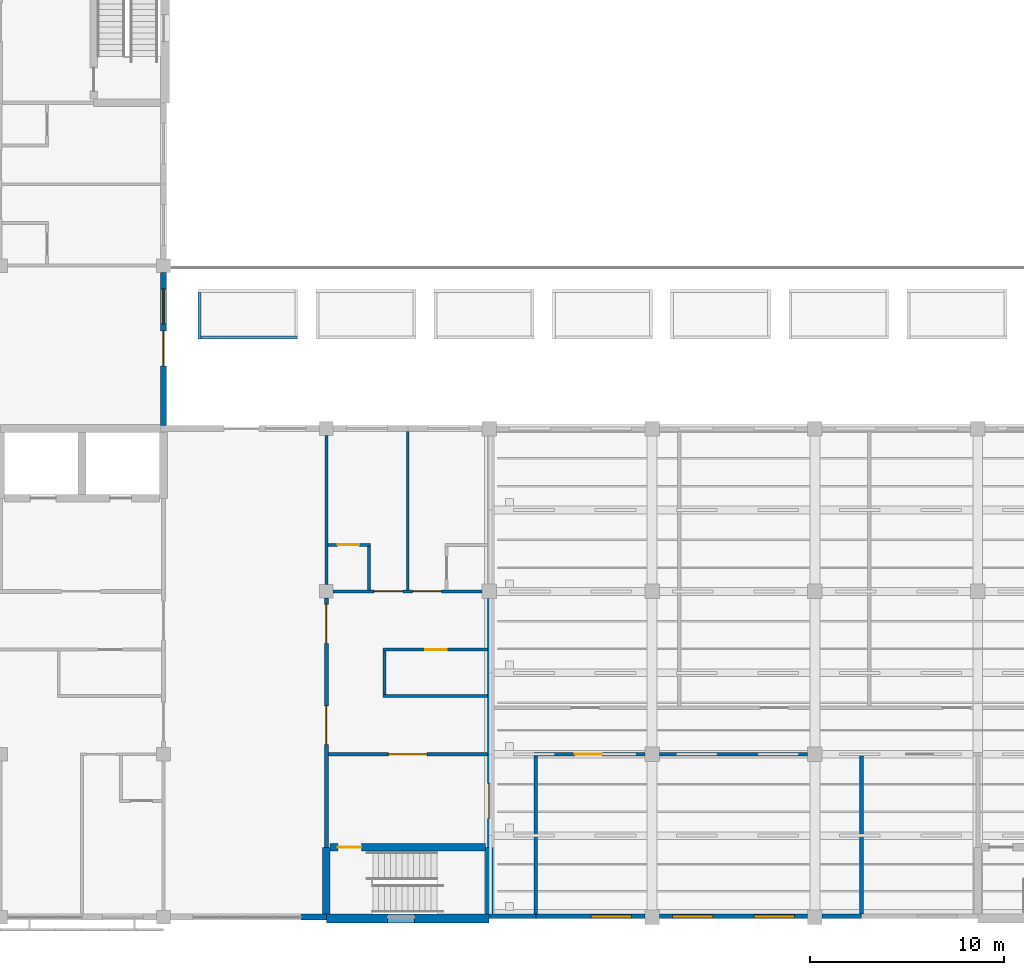
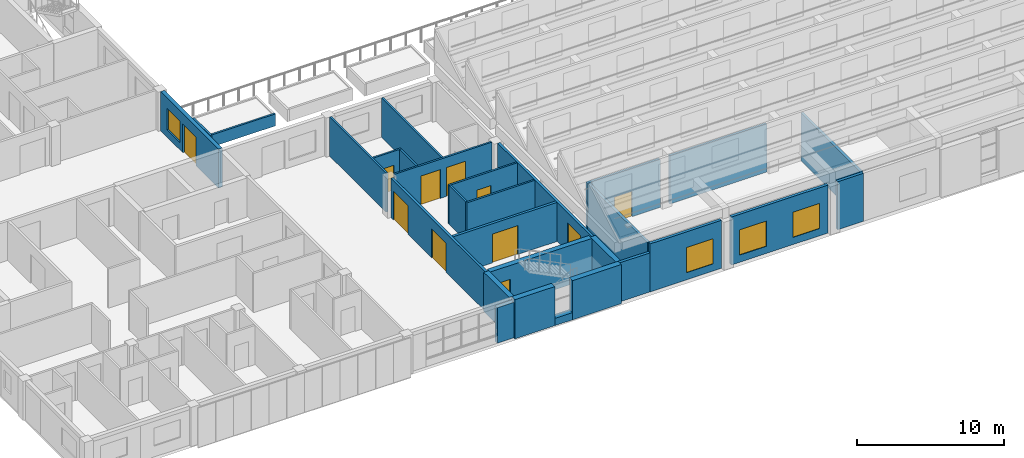
# One storey, part 29 of 61: 29 walls, 11 doors, 4 windows, 15 openings.
"""IFC4 building model written with IfcOpenShell, lengths in metres."""

from ifc_helpers import new_model, si_unit, direction, frame, frame_2d, origin, place, context, subcontext, project, spatial, rectangle, extrude, material, layer, layer_set, type_object, element, fill, save


model = new_model("IFC4")

# Units and contexts
model_context = context("Model", 3, precision=1e-05, world=origin(), true_north=direction((0.0, 1.0)))
body_context = subcontext(model_context, "Body", "Model", "MODEL_VIEW")
ifc_project = project(units=[si_unit("LENGTHUNIT", "METRE"), si_unit("AREAUNIT", "SQUARE_METRE"), si_unit("VOLUMEUNIT", "CUBIC_METRE"), si_unit("PLANEANGLEUNIT", "RADIAN"), si_unit("MASSUNIT", "GRAM", prefix="KILO")], contexts=[model_context])

# Site, building, storey
site_placement = place(None, origin())
site = spatial("IfcSite", under=ifc_project, at=site_placement, CompositionType="ELEMENT")
building_placement = place(site_placement, origin())
building = spatial("IfcBuilding", under=site, at=building_placement, Name="Yavir Park General Hospital", CompositionType="ELEMENT")
storey_placement = place(building_placement, frame((0.0, 0.0, 15.300048828125)))
storey = spatial("IfcBuildingStorey", under=building, at=storey_placement, Name="L03", CompositionType="ELEMENT", Elevation=15.300048828125)

# Wall, opening, door
ifc_material_1 = material(Name="Double gypsum board fire partition on steel studs", Category="steel")
ifc_layer_1 = layer(ifc_material_1, 0.199951171875)
ifc_layer_set_1 = layer_set([ifc_layer_1], Name="Double gypsum board fire partition on steel studs")
wall_type_1 = type_object("IfcWallType", Name="Fire-rated partition 200, EI 60", PredefinedType="PARTITIONING", material=ifc_layer_set_1)
wall_1_placement = place(storey_placement, frame((33.699951171875, 8.39990234375, 0.0), z_axis=(0.0, 0.0, 1.0), x_axis=(1.0, 0.0, 0.0)))
wall_1 = element("IfcWall", 1, at=wall_1_placement, inside=storey, type_object=wall_type_1, Name="FP20 L03-017", PredefinedType="PARTITIONING", context=body_context, shape_type="SweptSolid", body=[
    extrude(rectangle(XDim=8.199951171875, YDim=0.199951171875, at=frame_2d((4.10009765625, 0.0))), origin(), (0.0, 0.0, 1.0), 3.260009765625),
])
opening_1_placement = place(wall_1_placement, frame((3.10009765625, 0.0, 0.0)))
opening_1 = element("IfcOpeningElement", 2, at=opening_1_placement, cuts=wall_1, Name="Opening L03.D025", PredefinedType="OPENING", context=body_context, shape_type="SweptSolid", body=[
    extrude(rectangle(XDim=2.0, YDim=2.39990234375, at=frame_2d((1.0, 1.199951171875))), frame((0.0, 0.10986328125, 0.0), z_axis=(0.0, -1.0, 0.0), x_axis=(1.0, 0.0, 0.0)), (0.0, 0.0, 1.0), 0.219970703125),
])
ifc_material_2 = material(Name="Steel frame, fire-resisting leaves with vision panels", Category="steel")
door_type_1 = type_object("IfcDoorType", Name="Double fire door with vision panels 2000 x 2400, EI 60", OperationType="DOUBLE_DOOR_SINGLE_SWING", PredefinedType="DOOR", material=ifc_material_2)
door_1_placement = place(opening_1_placement, origin())
door_1 = element("IfcDoor", 3, at=door_1_placement, inside=storey, type_object=door_type_1, Name="L03.D025", OperationType="SINGLE_SWING_LEFT", OverallHeight=2.39990234375, OverallWidth=2.0, PredefinedType="DOOR", context=body_context, shape_type="SweptSolid", body=[
    extrude(rectangle(XDim=2.0, YDim=2.39990234375, at=frame_2d((1.0, 1.199951171875))), frame((0.0, 0.030029296875, 0.0), z_axis=(0.0, -1.0, 0.0), x_axis=(1.0, 0.0, 0.0)), (0.0, 0.0, 1.0), 0.06005859375),
])
fill(opening_1, door_1)

wall_2_placement = place(storey_placement, frame((44.300048828125, 8.39990234375, 0.0), z_axis=(0.0, 0.0, 1.0), x_axis=(1.0, 0.0, 0.0)))
wall_2 = element("IfcWall", 4, at=wall_2_placement, inside=storey, type_object=wall_type_1, Name="FP20 L03-018", PredefinedType="PARTITIONING", context=body_context, shape_type="SweptSolid", body=[
    extrude(rectangle(XDim=5.724853515625, YDim=0.199951171875, at=frame_2d((2.8623046875, 0.0))), origin(), (0.0, 0.0, 1.0), 4.0),
])
opening_2_placement = place(wall_2_placement, frame((2.112548828125, 0.0, 0.0)))
opening_2 = element("IfcOpeningElement", 5, at=opening_2_placement, cuts=wall_2, Name="Opening L03.D026", PredefinedType="OPENING", context=body_context, shape_type="SweptSolid", body=[
    extrude(rectangle(XDim=1.39990234375, YDim=2.10009765625, at=frame_2d((0.699951171875, 1.050048828125))), frame((0.0, 0.10986328125, 0.0), z_axis=(0.0, -1.0, 0.0), x_axis=(1.0, 0.0, 0.0)), (0.0, 0.0, 1.0), 0.219970703125),
])
ifc_material_3 = material(Name="Steel frame, fire-resisting timber leaves", Category="steel")
door_type_2 = type_object("IfcDoorType", Name="Double fire door 1400 x 2100, EI 60", OperationType="DOUBLE_DOOR_SINGLE_SWING", PredefinedType="DOOR", material=ifc_material_3)
door_2_placement = place(opening_2_placement, origin())
door_2 = element("IfcDoor", 6, at=door_2_placement, inside=storey, type_object=door_type_2, Name="L03.D026", OperationType="SINGLE_SWING_LEFT", OverallHeight=2.10009765625, OverallWidth=1.39990234375, PredefinedType="DOOR", context=body_context, shape_type="SweptSolid", body=[
    extrude(rectangle(XDim=1.39990234375, YDim=2.10009765625, at=frame_2d((0.699951171875, 1.050048828125))), frame((0.0, 0.02490234375, 0.0), z_axis=(0.0, -1.0, 0.0), x_axis=(1.0, 0.0, 0.0)), (0.0, 0.0, 1.0), 0.050048828125),
])
fill(opening_2, door_2)

# Wall
wall_3_placement = place(storey_placement, frame((50.77490234375, 8.39990234375, 0.0), z_axis=(0.0, 0.0, 1.0), x_axis=(1.0, 0.0, 0.0)))
element("IfcWall", 7, at=wall_3_placement, inside=storey, type_object=wall_type_1, Name="FP20 L03-019", PredefinedType="PARTITIONING", context=body_context, shape_type="SweptSolid", body=[
    extrude(rectangle(XDim=7.650146484375, YDim=0.199951171875, at=frame_2d((3.8251953125, 0.0))), origin(), (0.0, 0.0, 1.0), 4.0),
])

# Wall, openings, doors
wall_4_placement = place(storey_placement, frame((33.60009765625, 3.60009765625, 0.0), z_axis=(0.0, 0.0, 1.0), x_axis=(0.0, 1.0, 0.0)))
wall_4 = element("IfcWall", 8, at=wall_4_placement, inside=storey, type_object=wall_type_1, Name="FP20 L03-220", PredefinedType="PARTITIONING", context=body_context, shape_type="SweptSolid", body=[
    extrude(rectangle(XDim=12.849853515625, YDim=0.199951171875, at=frame_2d((6.4248046875, 0.0))), origin(), (0.0, 0.0, 1.0), 3.260009765625),
])
opening_3_placement = place(wall_4_placement, frame((5.300048828125, 0.0, 0.0)))
opening_3 = element("IfcOpeningElement", 9, at=opening_3_placement, cuts=wall_4, Name="Opening L03.D155", PredefinedType="OPENING", context=body_context, shape_type="SweptSolid", body=[
    extrude(rectangle(XDim=2.0, YDim=2.39990234375, at=frame_2d((1.0, 1.199951171875))), frame((0.0, 0.10986328125, 0.0), z_axis=(0.0, -1.0, 0.0), x_axis=(1.0, 0.0, 0.0)), (0.0, 0.0, 1.0), 0.219970703125),
])
opening_4_placement = place(wall_4_placement, frame((10.52490234375, 0.0, 0.0)))
opening_4 = element("IfcOpeningElement", 10, at=opening_4_placement, cuts=wall_4, Name="Opening L03.D156", PredefinedType="OPENING", context=body_context, shape_type="SweptSolid", body=[
    extrude(rectangle(XDim=2.0, YDim=2.39990234375, at=frame_2d((1.0, 1.199951171875))), frame((0.0, 0.10986328125, 0.0), z_axis=(0.0, -1.0, 0.0), x_axis=(1.0, 0.0, 0.0)), (0.0, 0.0, 1.0), 0.219970703125),
])
door_3_placement = place(opening_3_placement, origin())
door_3 = element("IfcDoor", 11, at=door_3_placement, inside=storey, type_object=door_type_1, Name="L03.D155", OperationType="SINGLE_SWING_LEFT", OverallHeight=2.39990234375, OverallWidth=2.0, PredefinedType="DOOR", context=body_context, shape_type="SweptSolid", body=[
    extrude(rectangle(XDim=2.0, YDim=2.39990234375, at=frame_2d((1.0, 1.199951171875))), frame((0.0, 0.030029296875, 0.0), z_axis=(0.0, -1.0, 0.0), x_axis=(1.0, 0.0, 0.0)), (0.0, 0.0, 1.0), 0.06005859375),
])
fill(opening_3, door_3)
door_4_placement = place(opening_4_placement, origin())
door_4 = element("IfcDoor", 12, at=door_4_placement, inside=storey, type_object=door_type_1, Name="L03.D156", OperationType="SINGLE_SWING_LEFT", OverallHeight=2.39990234375, OverallWidth=2.0, PredefinedType="DOOR", context=body_context, shape_type="SweptSolid", body=[
    extrude(rectangle(XDim=2.0, YDim=2.39990234375, at=frame_2d((1.0, 1.199951171875))), frame((0.0, 0.030029296875, 0.0), z_axis=(0.0, -1.0, 0.0), x_axis=(1.0, 0.0, 0.0)), (0.0, 0.0, 1.0), 0.06005859375),
])
fill(opening_4, door_4)

# Wall, opening, door
wall_5_placement = place(storey_placement, frame((42.0, 3.60009765625, 0.0), z_axis=(0.0, 0.0, 1.0), x_axis=(0.0, 1.0, 0.0)))
wall_5 = element("IfcWall", 13, at=wall_5_placement, inside=storey, type_object=wall_type_1, Name="FP20 L03-227", PredefinedType="PARTITIONING", context=body_context, shape_type="SweptSolid", body=[
    extrude(rectangle(XDim=12.824951171875, YDim=0.199951171875, at=frame_2d((6.41259765625, 0.0))), origin(), (0.0, 0.0, 1.0), 3.260009765625),
])
opening_5_placement = place(wall_5_placement, frame((1.5, 0.0, 0.0)))
opening_5 = element("IfcOpeningElement", 14, at=opening_5_placement, cuts=wall_5, Name="Opening L03.D158", PredefinedType="OPENING", context=body_context, shape_type="SweptSolid", body=[
    extrude(rectangle(XDim=1.800048828125, YDim=2.39990234375, at=frame_2d((0.89990234375, 1.199951171875))), frame((0.0, 0.10986328125, 0.0), z_axis=(0.0, -1.0, 0.0), x_axis=(1.0, 0.0, 0.0)), (0.0, 0.0, 1.0), 0.219970703125),
])
ifc_material_4 = material(Name="Steel frame, fire-resisting leaves with vision panels", Category="steel")
door_type_3 = type_object("IfcDoorType", Name="Double fire door with vision panels 1800 x 2400, EI 60", OperationType="DOUBLE_DOOR_SINGLE_SWING", PredefinedType="DOOR", material=ifc_material_4)
door_5_placement = place(opening_5_placement, origin())
door_5 = element("IfcDoor", 15, at=door_5_placement, inside=storey, type_object=door_type_3, Name="L03.D158", OperationType="SINGLE_SWING_LEFT", OverallHeight=2.39990234375, OverallWidth=1.800048828125, PredefinedType="DOOR", context=body_context, shape_type="SweptSolid", body=[
    extrude(rectangle(XDim=1.800048828125, YDim=2.39990234375, at=frame_2d((0.89990234375, 1.199951171875))), frame((0.0, 0.030029296875, 0.0), z_axis=(0.0, -1.0, 0.0), x_axis=(1.0, 0.0, 0.0)), (0.0, 0.0, 1.0), 0.06005859375),
])
fill(opening_5, door_5)

# Walls
for number, where, z_axis, x_axis, name in (
    (16, (44.39990234375, 0.14990234375, 0.0), (0.0, 0.0, 1.0), (0.0, 1.0, 0.0), "FP20 L03-229"),
    (17, (61.199951171875, 0.14990234375, 0.0), (0.0, 0.0, 1.0), (0.0, 1.0, 0.0), "FP20 L03-231"),
):
    element("IfcWall", number, at=place(storey_placement, frame(where, z_axis=z_axis, x_axis=x_axis)), inside=storey, type_object=wall_type_1, Name=name, PredefinedType="PARTITIONING", context=body_context, shape_type="SweptSolid", body=[
        extrude(rectangle(XDim=8.150146484375, YDim=0.199951171875, at=frame_2d((4.0751953125, 0.0))), origin(), (0.0, 0.0, 1.0), 4.0),
    ])
ifc_material_5 = material(Name="Gypsum board partition on steel studs", Category="steel")
ifc_layer_2 = layer(ifc_material_5, 0.14990234375)
ifc_layer_set_2 = layer_set([ifc_layer_2], Name="Gypsum board partition on steel studs")
wall_type_2 = type_object("IfcWallType", Name="Gypsum board partition 150", PredefinedType="PARTITIONING", material=ifc_layer_set_2)
wall_6_placement = place(storey_placement, frame((36.52490234375, 11.39990234375, 0.0), z_axis=(0.0, 0.0, 1.0), x_axis=(1.0, 0.0, 0.0)))
element("IfcWall", 18, at=wall_6_placement, inside=storey, type_object=wall_type_2, Name="P15 L03-031", PredefinedType="PARTITIONING", context=body_context, shape_type="SweptSolid", body=[
    extrude(rectangle(XDim=5.375, YDim=0.14990234375, at=frame_2d((2.6875, 0.0))), origin(), (0.0, 0.0, 1.0), 3.260009765625),
])

# Wall, opening, door
wall_7_placement = place(storey_placement, frame((36.52490234375, 13.800048828125, 0.0), z_axis=(0.0, 0.0, 1.0), x_axis=(1.0, 0.0, 0.0)))
wall_7 = element("IfcWall", 19, at=wall_7_placement, inside=storey, type_object=wall_type_2, Name="P15 L03-036", PredefinedType="PARTITIONING", context=body_context, shape_type="SweptSolid", body=[
    extrude(rectangle(XDim=5.375, YDim=0.14990234375, at=frame_2d((2.6875, 0.0))), origin(), (0.0, 0.0, 1.0), 3.260009765625),
])
opening_6_placement = place(wall_7_placement, frame((2.175048828125, 0.0, 0.0)))
opening_6 = element("IfcOpeningElement", 20, at=opening_6_placement, cuts=wall_7, Name="Opening L03.D049", PredefinedType="OPENING", context=body_context, shape_type="SweptSolid", body=[
    extrude(rectangle(XDim=1.10009765625, YDim=2.10009765625, at=frame_2d((0.550048828125, 1.050048828125))), frame((0.0, 0.0849609375, 0.0), z_axis=(0.0, -1.0, 0.0), x_axis=(1.0, 0.0, 0.0)), (0.0, 0.0, 1.0), 0.169921875),
])
ifc_material_6 = material(Name="Hollow metal frame, solid-core timber leaf", Category="wood")
door_type_4 = type_object("IfcDoorType", Name="Single swing door 1100 x 2100", OperationType="SINGLE_SWING_LEFT", PredefinedType="DOOR", material=ifc_material_6)
door_6_placement = place(opening_6_placement, origin())
door_6 = element("IfcDoor", 21, at=door_6_placement, inside=storey, type_object=door_type_4, Name="L03.D049", OperationType="SINGLE_SWING_LEFT", OverallHeight=2.10009765625, OverallWidth=1.10009765625, PredefinedType="DOOR", context=body_context, shape_type="SweptSolid", body=[
    extrude(rectangle(XDim=1.10009765625, YDim=2.10009765625, at=frame_2d((0.550048828125, 1.050048828125))), frame((0.0, 0.02490234375, 0.0), z_axis=(0.0, -1.0, 0.0), x_axis=(1.0, 0.0, 0.0)), (0.0, 0.0, 1.0), 0.050048828125),
])
fill(opening_6, door_6)

# Wall, openings, doors
wall_8_placement = place(storey_placement, frame((33.949951171875, 16.800048828125, 0.0), z_axis=(0.0, 0.0, 1.0), x_axis=(1.0, 0.0, 0.0)))
wall_8 = element("IfcWall", 22, at=wall_8_placement, inside=storey, type_object=wall_type_2, Name="P15 L03-044", PredefinedType="PARTITIONING", context=body_context, shape_type="SweptSolid", body=[
    extrude(rectangle(XDim=7.675048828125, YDim=0.14990234375, at=frame_2d((3.83740234375, 0.0))), origin(), (0.0, 0.0, 1.0), 3.260009765625),
])
opening_7_placement = place(wall_8_placement, frame((2.10009765625, 0.0, 0.0)))
opening_7 = element("IfcOpeningElement", 23, at=opening_7_placement, cuts=wall_8, Name="Opening L03.D055", PredefinedType="OPENING", context=body_context, shape_type="SweptSolid", body=[
    extrude(rectangle(XDim=1.5, YDim=2.39990234375, at=frame_2d((0.75, 1.199951171875))), frame((0.0, 0.0849609375, 0.0), z_axis=(0.0, -1.0, 0.0), x_axis=(1.0, 0.0, 0.0)), (0.0, 0.0, 1.0), 0.169921875),
])
opening_8_placement = place(wall_8_placement, frame((4.10009765625, 0.0, 0.0)))
opening_8 = element("IfcOpeningElement", 24, at=opening_8_placement, cuts=wall_8, Name="Opening L03.D056", PredefinedType="OPENING", context=body_context, shape_type="SweptSolid", body=[
    extrude(rectangle(XDim=1.5, YDim=2.39990234375, at=frame_2d((0.75, 1.199951171875))), frame((0.0, 0.0849609375, 0.0), z_axis=(0.0, -1.0, 0.0), x_axis=(1.0, 0.0, 0.0)), (0.0, 0.0, 1.0), 0.169921875),
])
ifc_material_7 = material(Name="Solid-core timber leaves, push plates, kick plates", Category="wood")
door_type_5 = type_object("IfcDoorType", Name="Bed door, unequal leaves 1500 x 2400", OperationType="DOUBLE_DOOR_SINGLE_SWING", PredefinedType="DOOR", material=ifc_material_7)
door_7_placement = place(opening_7_placement, origin())
door_7 = element("IfcDoor", 25, at=door_7_placement, inside=storey, type_object=door_type_5, Name="L03.D055", OperationType="SINGLE_SWING_RIGHT", OverallHeight=2.39990234375, OverallWidth=1.5, PredefinedType="DOOR", context=body_context, shape_type="SweptSolid", body=[
    extrude(rectangle(XDim=1.5, YDim=2.39990234375, at=frame_2d((0.75, 1.199951171875))), frame((0.0, 0.030029296875, 0.0), z_axis=(0.0, -1.0, 0.0), x_axis=(1.0, 0.0, 0.0)), (0.0, 0.0, 1.0), 0.06005859375),
])
fill(opening_7, door_7)
door_8_placement = place(opening_8_placement, origin())
door_8 = element("IfcDoor", 26, at=door_8_placement, inside=storey, type_object=door_type_5, Name="L03.D056", OperationType="SINGLE_SWING_RIGHT", OverallHeight=2.39990234375, OverallWidth=1.5, PredefinedType="DOOR", context=body_context, shape_type="SweptSolid", body=[
    extrude(rectangle(XDim=1.5, YDim=2.39990234375, at=frame_2d((0.75, 1.199951171875))), frame((0.0, 0.030029296875, 0.0), z_axis=(0.0, -1.0, 0.0), x_axis=(1.0, 0.0, 0.0)), (0.0, 0.0, 1.0), 0.06005859375),
])
fill(opening_8, door_8)

# Wall, opening, door
wall_9_placement = place(storey_placement, frame((33.675048828125, 19.199951171875, 0.0), z_axis=(0.0, 0.0, 1.0), x_axis=(1.0, 0.0, 0.0)))
wall_9 = element("IfcWall", 27, at=wall_9_placement, inside=storey, type_object=wall_type_2, Name="P15 L03-051", PredefinedType="PARTITIONING", context=body_context, shape_type="SweptSolid", body=[
    extrude(rectangle(XDim=2.199951171875, YDim=0.14990234375, at=frame_2d((1.10009765625, 0.0))), origin(), (0.0, 0.0, 1.0), 3.260009765625),
])
opening_9_placement = place(wall_9_placement, frame((0.512451171875, 0.0, 0.0)))
opening_9 = element("IfcOpeningElement", 28, at=opening_9_placement, cuts=wall_9, Name="Opening L03.D065", PredefinedType="OPENING", context=body_context, shape_type="SweptSolid", body=[
    extrude(rectangle(XDim=1.10009765625, YDim=2.10009765625, at=frame_2d((0.550048828125, 1.050048828125))), frame((0.0, 0.0849609375, 0.0), z_axis=(0.0, -1.0, 0.0), x_axis=(1.0, 0.0, 0.0)), (0.0, 0.0, 1.0), 0.169921875),
])
door_9_placement = place(opening_9_placement, origin())
door_9 = element("IfcDoor", 29, at=door_9_placement, inside=storey, type_object=door_type_4, Name="L03.D065", OperationType="SINGLE_SWING_RIGHT", OverallHeight=2.10009765625, OverallWidth=1.10009765625, PredefinedType="DOOR", context=body_context, shape_type="SweptSolid", body=[
    extrude(rectangle(XDim=1.10009765625, YDim=2.10009765625, at=frame_2d((0.550048828125, 1.050048828125))), frame((0.0, 0.02490234375, 0.0), z_axis=(0.0, -1.0, 0.0), x_axis=(1.0, 0.0, 0.0)), (0.0, 0.0, 1.0), 0.050048828125),
])
fill(opening_9, door_9)

# Walls
wall_10_placement = place(storey_placement, frame((33.60009765625, 17.14990234375, 0.0), z_axis=(0.0, 0.0, 1.0), x_axis=(0.0, 1.0, 0.0)))
element("IfcWall", 30, at=wall_10_placement, inside=storey, type_object=wall_type_2, Name="P15 L03-221", PredefinedType="PARTITIONING", context=body_context, shape_type="SweptSolid", body=[
    extrude(rectangle(XDim=7.7001953125, YDim=0.14990234375, at=frame_2d((3.85009765625, 0.0))), origin(), (0.0, 0.0, 1.0), 3.260009765625),
])
for number, where, z_axis, x_axis, name in (
    (31, (35.800048828125, 16.875, 0.0), (0.0, 0.0, 1.0), (0.0, 1.0, 0.0), "P15 L03-222"),
    (32, (36.60009765625, 11.47509765625, 0.0), (0.0, 0.0, 1.0), (0.0, 1.0, 0.0), "P15 L03-223"),
):
    element("IfcWall", number, at=place(storey_placement, frame(where, z_axis=z_axis, x_axis=x_axis)), inside=storey, type_object=wall_type_2, Name=name, PredefinedType="PARTITIONING", context=body_context, shape_type="SweptSolid", body=[
        extrude(rectangle(XDim=2.25, YDim=0.14990234375, at=frame_2d((1.125, 0.0))), origin(), (0.0, 0.0, 1.0), 3.260009765625),
    ])
wall_11_placement = place(storey_placement, frame((37.800048828125, 16.875, 0.0), z_axis=(0.0, 0.0, 1.0), x_axis=(0.0, 1.0, 0.0)))
element("IfcWall", 33, at=wall_11_placement, inside=storey, type_object=wall_type_2, Name="P15 L03-224", PredefinedType="PARTITIONING", context=body_context, shape_type="SweptSolid", body=[
    extrude(rectangle(XDim=8.175048828125, YDim=0.14990234375, at=frame_2d((4.08740234375, 0.0))), origin(), (0.0, 0.0, 1.0), 3.260009765625),
])
ifc_material_8 = material(Name="Insulated sheet steel panels on a Steel S355 subframe", Category="steel")
ifc_layer_3 = layer(ifc_material_8, 0.22509765625)
ifc_layer_set_3 = layer_set([ifc_layer_3], Name="Insulated sheet steel panels on a Steel S355 subframe")
wall_type_3 = type_object("IfcWallType", Name="Louvred plant wall 225, E 30", PredefinedType="SOLIDWALL", material=ifc_layer_set_3)
wall_12_placement = place(storey_placement, frame((42.0, 0.03759765625, 0.0), z_axis=(0.0, 0.0, 1.0), x_axis=(1.0, 0.0, 0.0)))
element("IfcWall", 34, at=wall_12_placement, inside=storey, type_object=wall_type_3, Name="XW4 L03-013", PredefinedType="SOLIDWALL", context=body_context, shape_type="SweptSolid", body=[
    extrude(rectangle(XDim=2.39990234375, YDim=0.22509765625, at=frame_2d((1.199951171875, 0.0))), origin(), (0.0, 0.0, 1.0), 3.260009765625),
])

# Wall, opening, window
wall_13_placement = place(storey_placement, frame((44.39990234375, 0.03759765625, 0.0), z_axis=(0.0, 0.0, 1.0), x_axis=(1.0, 0.0, 0.0)))
wall_13 = element("IfcWall", 35, at=wall_13_placement, inside=storey, type_object=wall_type_3, Name="XW4 L03-014", PredefinedType="SOLIDWALL", context=body_context, shape_type="SweptSolid", body=[
    extrude(rectangle(XDim=5.625, YDim=0.22509765625, at=frame_2d((2.8125, 0.0))), origin(), (0.0, 0.0, 1.0), 4.0),
])
opening_10_placement = place(wall_13_placement, frame((2.85009765625, 0.0, 0.60009765625)))
opening_10 = element("IfcOpeningElement", 36, at=opening_10_placement, cuts=wall_13, Name="Opening LV2", PredefinedType="OPENING", context=body_context, shape_type="SweptSolid", body=[
    extrude(rectangle(XDim=2.10009765625, YDim=2.10009765625, at=frame_2d((1.050048828125, 1.050048828125))), frame((0.0, 0.12255859375, 0.0), z_axis=(0.0, -1.0, 0.0), x_axis=(1.0, 0.0, 0.0)), (0.0, 0.0, 1.0), 0.2451171875),
])
ifc_material_9 = material(Name="Anodised aluminium louvre blades in a deep frame", Category="aluminium")
window_type_1 = type_object("IfcWindowType", Name="Tall plant louvre 2100 x 2100", PartitioningType="SINGLE_PANEL", PredefinedType="WINDOW", material=ifc_material_9)
window_1_placement = place(opening_10_placement, origin())
window_1 = element("IfcWindow", 37, at=window_1_placement, inside=storey, type_object=window_type_1, Name="LV2 L03-006", OverallHeight=2.10009765625, OverallWidth=2.10009765625, PartitioningType="SINGLE_PANEL", PredefinedType="WINDOW", context=body_context, shape_type="SweptSolid", body=[
    extrude(rectangle(XDim=2.10009765625, YDim=2.10009765625, at=frame_2d((1.050048828125, 1.050048828125))), frame((0.0, 0.074951171875, 0.0), z_axis=(0.0, -1.0, 0.0), x_axis=(1.0, 0.0, 0.0)), (0.0, 0.0, 1.0), 0.14990234375),
])
fill(opening_10, window_1)

# Wall, openings, windows
wall_14_placement = place(storey_placement, frame((50.77490234375, 0.03759765625, 0.0), z_axis=(0.0, 0.0, 1.0), x_axis=(1.0, 0.0, 0.0)))
wall_14 = element("IfcWall", 38, at=wall_14_placement, inside=storey, type_object=wall_type_3, Name="XW4 L03-015", PredefinedType="SOLIDWALL", context=body_context, shape_type="SweptSolid", body=[
    extrude(rectangle(XDim=7.650146484375, YDim=0.22509765625, at=frame_2d((3.8251953125, 0.0))), origin(), (0.0, 0.0, 1.0), 4.0),
])
opening_11_placement = place(wall_14_placement, frame((0.675048828125, 0.0, 0.60009765625)))
opening_11 = element("IfcOpeningElement", 39, at=opening_11_placement, cuts=wall_14, Name="Opening LV2", PredefinedType="OPENING", context=body_context, shape_type="SweptSolid", body=[
    extrude(rectangle(XDim=2.10009765625, YDim=2.10009765625, at=frame_2d((1.050048828125, 1.050048828125))), frame((0.0, 0.12255859375, 0.0), z_axis=(0.0, -1.0, 0.0), x_axis=(1.0, 0.0, 0.0)), (0.0, 0.0, 1.0), 0.2451171875),
])
opening_12_placement = place(wall_14_placement, frame((4.875, 0.0, 0.60009765625)))
opening_12 = element("IfcOpeningElement", 40, at=opening_12_placement, cuts=wall_14, Name="Opening LV2", PredefinedType="OPENING", context=body_context, shape_type="SweptSolid", body=[
    extrude(rectangle(XDim=2.10009765625, YDim=2.10009765625, at=frame_2d((1.050048828125, 1.050048828125))), frame((0.0, 0.12255859375, 0.0), z_axis=(0.0, -1.0, 0.0), x_axis=(1.0, 0.0, 0.0)), (0.0, 0.0, 1.0), 0.2451171875),
])
window_2_placement = place(opening_11_placement, origin())
window_2 = element("IfcWindow", 41, at=window_2_placement, inside=storey, type_object=window_type_1, Name="LV2 L03-007", OverallHeight=2.10009765625, OverallWidth=2.10009765625, PartitioningType="SINGLE_PANEL", PredefinedType="WINDOW", context=body_context, shape_type="SweptSolid", body=[
    extrude(rectangle(XDim=2.10009765625, YDim=2.10009765625, at=frame_2d((1.050048828125, 1.050048828125))), frame((0.0, 0.074951171875, 0.0), z_axis=(0.0, -1.0, 0.0), x_axis=(1.0, 0.0, 0.0)), (0.0, 0.0, 1.0), 0.14990234375),
])
fill(opening_11, window_2)
window_3_placement = place(opening_12_placement, origin())
window_3 = element("IfcWindow", 42, at=window_3_placement, inside=storey, type_object=window_type_1, Name="LV2 L03-008", OverallHeight=2.10009765625, OverallWidth=2.10009765625, PartitioningType="SINGLE_PANEL", PredefinedType="WINDOW", context=body_context, shape_type="SweptSolid", body=[
    extrude(rectangle(XDim=2.10009765625, YDim=2.10009765625, at=frame_2d((1.050048828125, 1.050048828125))), frame((0.0, 0.074951171875, 0.0), z_axis=(0.0, -1.0, 0.0), x_axis=(1.0, 0.0, 0.0)), (0.0, 0.0, 1.0), 0.14990234375),
])
fill(opening_12, window_3)

# Walls
wall_15_placement = place(storey_placement, frame((59.175048828125, 0.03759765625, 0.0), z_axis=(0.0, 0.0, 1.0), x_axis=(1.0, 0.0, 0.0)))
element("IfcWall", 43, at=wall_15_placement, inside=storey, type_object=wall_type_3, Name="XW4 L03-016", PredefinedType="SOLIDWALL", context=body_context, shape_type="SweptSolid", body=[
    extrude(rectangle(XDim=2.02490234375, YDim=0.22509765625, at=frame_2d((1.012451171875, 0.0))), origin(), (0.0, 0.0, 1.0), 4.0),
])
ifc_material_10 = material(Name="Autoclaved aerated block, mineral wool and ochre mineral render")
ifc_layer_4 = layer(ifc_material_10, 0.300048828125)
ifc_layer_set_4 = layer_set([ifc_layer_4], Name="Autoclaved aerated block, mineral wool and ochre mineral render")
wall_type_4 = type_object("IfcWallType", Name="Ochre render ward wall 300, E 30", PredefinedType="SOLIDWALL", material=ifc_layer_set_4)
wall_16_placement = place(storey_placement, frame((32.300048828125, 0.0, 0.0), z_axis=(0.0, 0.0, 1.0), x_axis=(1.0, 0.0, 0.0)))
element("IfcWall", 44, at=wall_16_placement, inside=storey, type_object=wall_type_4, Name="XW7 L03-008", PredefinedType="SOLIDWALL", context=body_context, shape_type="SweptSolid", body=[
    extrude(rectangle(XDim=1.300048828125, YDim=0.300048828125, at=frame_2d((0.64990234375, 0.0))), origin(), (0.0, 0.0, 1.0), 2.9599609375),
])

# Wall, openings, window, door
wall_17_placement = place(storey_placement, frame((25.199951171875, 25.35009765625, 0.0), z_axis=(0.0, 0.0, 1.0), x_axis=(0.0, 1.0, 0.0)))
wall_17 = element("IfcWall", 45, at=wall_17_placement, inside=storey, type_object=wall_type_4, Name="XW7 L03-124", PredefinedType="SOLIDWALL", context=body_context, shape_type="SweptSolid", body=[
    extrude(rectangle(XDim=7.89990234375, YDim=0.300048828125, at=frame_2d((3.949951171875, 0.0))), origin(), (0.0, 0.0, 1.0), 3.260009765625),
])
opening_13_placement = place(wall_17_placement, frame((5.25, 0.0, 0.60009765625)))
opening_13 = element("IfcOpeningElement", 46, at=opening_13_placement, cuts=wall_17, Name="Opening WN", PredefinedType="OPENING", context=body_context, shape_type="SweptSolid", body=[
    extrude(rectangle(XDim=1.800048828125, YDim=1.800048828125, at=frame_2d((0.89990234375, 0.89990234375))), frame((0.0, 0.159912109375, 0.0), z_axis=(0.0, -1.0, 0.0), x_axis=(1.0, 0.0, 0.0)), (0.0, 0.0, 1.0), 0.320068359375),
])
opening_14_placement = place(wall_17_placement, frame((3.074951171875, 0.0, 0.0)))
opening_14 = element("IfcOpeningElement", 47, at=opening_14_placement, cuts=wall_17, Name="Opening L03.X04", PredefinedType="OPENING", context=body_context, shape_type="SweptSolid", body=[
    extrude(rectangle(XDim=1.800048828125, YDim=2.39990234375, at=frame_2d((0.89990234375, 1.199951171875))), frame((0.0, 0.159912109375, 0.0), z_axis=(0.0, -1.0, 0.0), x_axis=(1.0, 0.0, 0.0)), (0.0, 0.0, 1.0), 0.320068359375),
])
ifc_material_11 = material(Name="Aluminium frame, double glazed unit", Category="aluminium")
window_type_2 = type_object("IfcWindowType", Name="Day room window 1800 x 1800", PartitioningType="SINGLE_PANEL", PredefinedType="WINDOW", material=ifc_material_11)
window_4_placement = place(opening_13_placement, origin())
window_4 = element("IfcWindow", 48, at=window_4_placement, inside=storey, type_object=window_type_2, Name="WN L03-061", OverallHeight=1.800048828125, OverallWidth=1.800048828125, PartitioningType="SINGLE_PANEL", PredefinedType="WINDOW", context=body_context, shape_type="SweptSolid", body=[
    extrude(rectangle(XDim=1.800048828125, YDim=1.800048828125, at=frame_2d((0.89990234375, 0.89990234375))), frame((0.0, 0.030029296875, 0.0), z_axis=(0.0, -1.0, 0.0), x_axis=(1.0, 0.0, 0.0)), (0.0, 0.0, 1.0), 0.06005859375),
])
fill(opening_13, window_4)
ifc_material_12 = material(Name="Aluminium thermal-break frame, double glazed leaves", Category="aluminium")
door_type_6 = type_object("IfcDoorType", Name="Thermally broken balcony sliding door 1800 x 2400", OperationType="DOUBLE_DOOR_SLIDING", PredefinedType="DOOR", material=ifc_material_12)
door_10_placement = place(opening_14_placement, frame((1.800048828125, 0.0, 0.0), x_axis=(-1.0, 0.0, 0.0)))
door_10 = element("IfcDoor", 49, at=door_10_placement, inside=storey, type_object=door_type_6, Name="L03.X04", OperationType="DOUBLE_DOOR_SLIDING", OverallHeight=2.39990234375, OverallWidth=1.800048828125, PredefinedType="DOOR", context=body_context, shape_type="SweptSolid", body=[
    extrude(rectangle(XDim=1.800048828125, YDim=2.39990234375, at=frame_2d((0.89990234375, 1.199951171875))), frame((0.0, 0.030029296875, 0.0), z_axis=(0.0, -1.0, 0.0), x_axis=(1.0, 0.0, 0.0)), (0.0, 0.0, 1.0), 0.06005859375),
])
fill(opening_14, door_10)

# Walls
ifc_material_13 = material(Name="Concrete C30/37", Category="concrete")
ifc_layer_5 = layer(ifc_material_13, 0.14990234375)
ifc_layer_set_5 = layer_set([ifc_layer_5], Name="Concrete C30/37")
wall_type_5 = type_object("IfcWallType", Name="Planter upstand 150 x 1000", PredefinedType="STANDARD", material=ifc_layer_set_5)
wall_18_placement = place(storey_placement, frame((27.122802734375, 29.89990234375, 0.0), z_axis=(0.0, 0.0, 1.0), x_axis=(1.0, 0.0, 0.0)))
element("IfcWall", 50, at=wall_18_placement, inside=storey, type_object=wall_type_5, Name="Planter upstand 1.1", PredefinedType="STANDARD", context=body_context, shape_type="SweptSolid", body=[
    extrude(rectangle(XDim=5.0, YDim=0.14990234375, at=frame_2d((2.5, 0.0))), origin(), (0.0, 0.0, 1.0), 1.0),
])
wall_19_placement = place(storey_placement, frame((27.0478515625, 32.22509765625, 0.0), z_axis=(0.0, 0.0, 1.0), x_axis=(0.0, -1.0, 0.0)))
element("IfcWall", 51, at=wall_19_placement, inside=storey, type_object=wall_type_5, Name="Planter upstand 1.4", PredefinedType="STANDARD", context=body_context, shape_type="SweptSolid", body=[
    extrude(rectangle(XDim=2.400146484375, YDim=0.14990234375, at=frame_2d((1.2001953125, 0.0))), origin(), (0.0, 0.0, 1.0), 1.0),
])

# Wall, opening, door
ifc_material_14 = material(Name="Concrete C35/45", Category="concrete")
ifc_layer_6 = layer(ifc_material_14, 0.39990234375)
ifc_layer_set_6 = layer_set([ifc_layer_6], Name="Concrete C35/45")
wall_type_6 = type_object("IfcWallType", Name="Reinforced concrete core wall 400, REI 150", PredefinedType="SHEAR", material=ifc_layer_set_6)
wall_20_placement = place(storey_placement, frame((33.800048828125, 3.60009765625, 0.0), z_axis=(0.0, 0.0, 1.0), x_axis=(1.0, 0.0, 0.0)))
wall_20 = element("IfcWall", 52, at=wall_20_placement, inside=storey, type_object=wall_type_6, Name="CW40 L03-001", PredefinedType="SHEAR", context=body_context, shape_type="SweptSolid", body=[
    extrude(rectangle(XDim=8.0, YDim=0.39990234375, at=frame_2d((4.0, 0.0))), origin(), (0.0, 0.0, 1.0), 3.260009765625),
])
opening_15_placement = place(wall_20_placement, frame((0.39990234375, 0.0, 0.0)))
opening_15 = element("IfcOpeningElement", 53, at=opening_15_placement, cuts=wall_20, Name="Opening L03.D001", PredefinedType="OPENING", context=body_context, shape_type="SweptSolid", body=[
    extrude(rectangle(XDim=1.199951171875, YDim=2.10009765625, at=frame_2d((0.60009765625, 1.050048828125))), frame((0.0, 0.2099609375, 0.0), z_axis=(0.0, -1.0, 0.0), x_axis=(1.0, 0.0, 0.0)), (0.0, 0.0, 1.0), 0.419921875),
])
ifc_material_15 = material(Name="Steel frame, fire-resisting timber leaf", Category="steel")
door_type_7 = type_object("IfcDoorType", Name="Fire door 1200 x 2100, EI 60", OperationType="SINGLE_SWING_LEFT", PredefinedType="DOOR", material=ifc_material_15)
door_11_placement = place(opening_15_placement, origin())
door_11 = element("IfcDoor", 54, at=door_11_placement, inside=storey, type_object=door_type_7, Name="L03.D001", OperationType="SINGLE_SWING_LEFT", OverallHeight=2.10009765625, OverallWidth=1.199951171875, PredefinedType="DOOR", context=body_context, shape_type="SweptSolid", body=[
    extrude(rectangle(XDim=1.199951171875, YDim=2.10009765625, at=frame_2d((0.60009765625, 1.050048828125))), frame((0.0, 0.02490234375, 0.0), z_axis=(0.0, -1.0, 0.0), x_axis=(1.0, 0.0, 0.0)), (0.0, 0.0, 1.0), 0.050048828125),
])
fill(opening_15, door_11)

# Walls
for number, where, z_axis, x_axis, name in (
    (55, (33.60009765625, 0.14990234375, 0.0), (0.0, 0.0, 1.0), (0.0, 1.0, 0.0), "CW40 L03-219"),
    (56, (42.0, 0.14990234375, 0.0), (0.0, 0.0, 1.0), (0.0, 1.0, 0.0), "CW40 L03-226"),
):
    element("IfcWall", number, at=place(storey_placement, frame(where, z_axis=z_axis, x_axis=x_axis)), inside=storey, type_object=wall_type_6, Name=name, PredefinedType="SHEAR", context=body_context, shape_type="SweptSolid", body=[
        extrude(rectangle(XDim=3.4501953125, YDim=0.39990234375, at=frame_2d((1.72509765625, 0.0))), origin(), (0.0, 0.0, 1.0), 3.260009765625),
    ])
ifc_material_16 = material(Name="Concrete C30/37 precast panel with 150 mm mineral wool insulation", Category="concrete")
ifc_layer_7 = layer(ifc_material_16, 0.449951171875)
ifc_layer_set_7 = layer_set([ifc_layer_7], Name="Concrete C30/37 precast panel with 150 mm mineral wool insulation")
wall_type_7 = type_object("IfcWallType", Name="Stair enclosure wall 450, REI 150", PredefinedType="SOLIDWALL", material=ifc_layer_set_7)
wall_21_placement = place(storey_placement, frame((33.60009765625, -0.074951171875, 0.0), z_axis=(0.0, 0.0, 1.0), x_axis=(1.0, 0.0, 0.0)))
element("IfcWall", 57, at=wall_21_placement, inside=storey, type_object=wall_type_7, Name="XW6 L03-010", PredefinedType="SOLIDWALL", context=body_context, shape_type="SweptSolid", body=[
    extrude(rectangle(XDim=3.14990234375, YDim=0.449951171875, at=frame_2d((1.574951171875, 0.0))), origin(), (0.0, 0.0, 1.0), 3.260009765625),
])
wall_22_placement = place(storey_placement, frame((38.14990234375, -0.074951171875, 0.0), z_axis=(0.0, 0.0, 1.0), x_axis=(1.0, 0.0, 0.0)))
element("IfcWall", 58, at=wall_22_placement, inside=storey, type_object=wall_type_7, Name="XW6 L03-011", PredefinedType="SOLIDWALL", context=body_context, shape_type="SweptSolid", body=[
    extrude(rectangle(XDim=3.85009765625, YDim=0.449951171875, at=frame_2d((1.925048828125, 0.0))), origin(), (0.0, 0.0, 1.0), 3.260009765625),
])
wall_23_placement = place(storey_placement, frame((36.75, -0.074951171875, 0.0), z_axis=(0.0, 0.0, 1.0), x_axis=(1.0, 0.0, 0.0)))
element("IfcWall", 59, at=wall_23_placement, inside=storey, type_object=wall_type_7, Name="XW6 L03-012", PredefinedType="SOLIDWALL", context=body_context, shape_type="SweptSolid", body=[
    extrude(rectangle(XDim=1.39990234375, YDim=0.449951171875, at=frame_2d((0.699951171875, 0.0))), origin(), (0.0, 0.0, 1.0), 0.599853515625),
])

save(model, "model.ifc")
